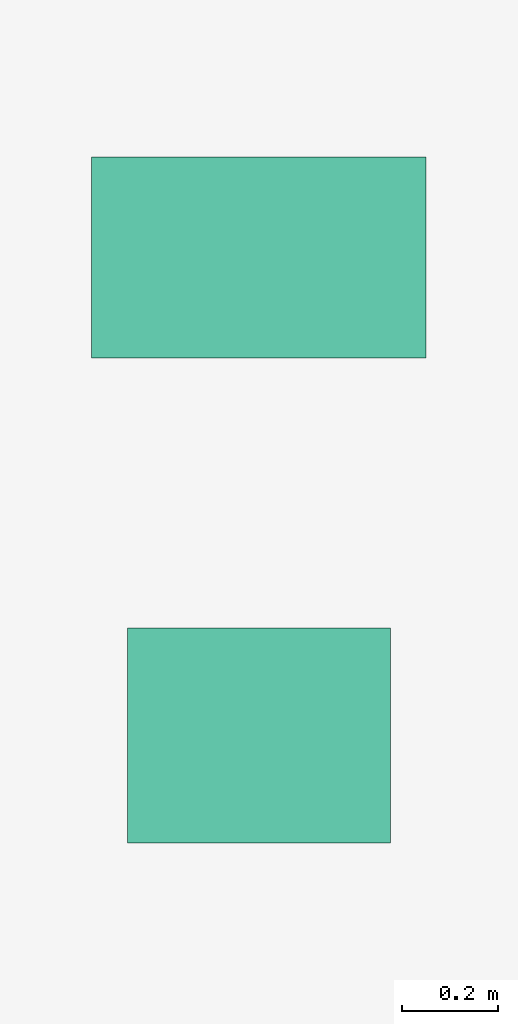
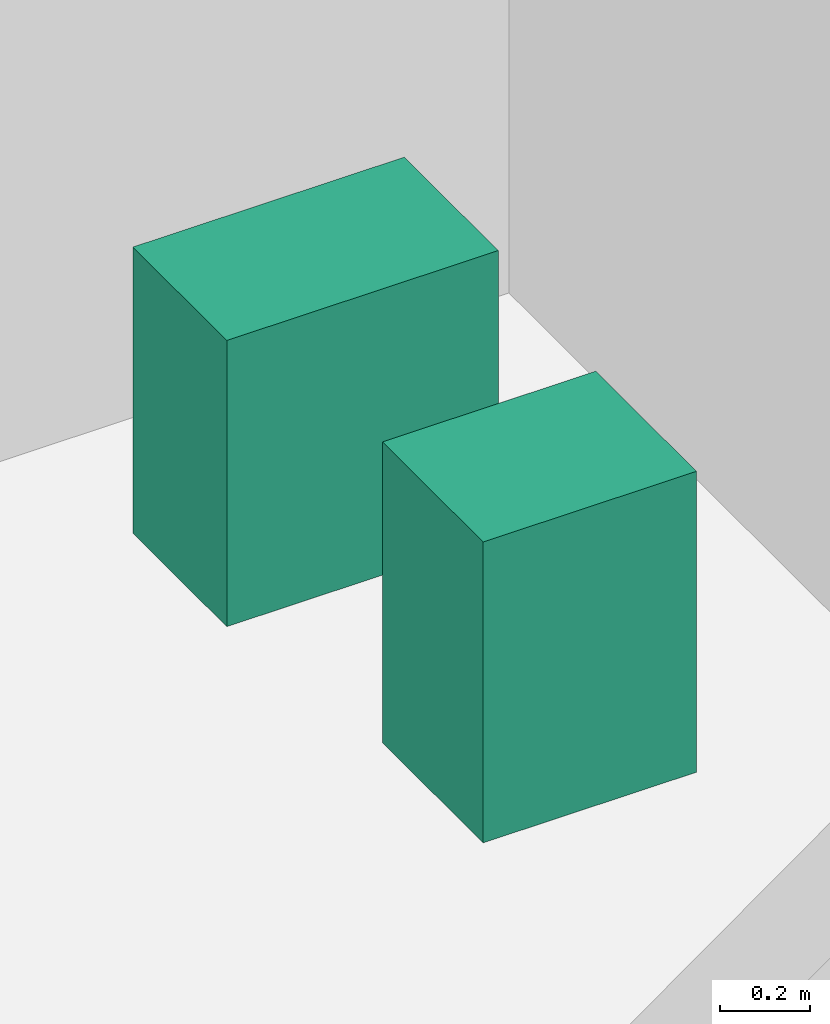
# One storey, part 21 of 21: 2 sanitary terminals.
"""IFC4 building model written with IfcOpenShell, lengths in metres."""

from ifc_helpers import new_model, si_unit, direction, frame, origin, origin_2d, place, context, subcontext, project, spatial, rectangle, extrude, source, transform, mapped, material, type_object, element, save


model = new_model("IFC4")

# Units and contexts
model_context = context("Model", 3, precision=1e-05, world=origin(), true_north=direction((0.0, 1.0)))
body_context = subcontext(model_context, "Body", "Model", "MODEL_VIEW")
ifc_project = project(units=[si_unit("LENGTHUNIT", "METRE"), si_unit("AREAUNIT", "SQUARE_METRE"), si_unit("VOLUMEUNIT", "CUBIC_METRE"), si_unit("PLANEANGLEUNIT", "RADIAN"), si_unit("MASSUNIT", "GRAM", prefix="KILO")], contexts=[model_context])

# Site, building, storey
site_placement = place(None, origin())
site = spatial("IfcSite", under=ifc_project, at=site_placement, CompositionType="ELEMENT")
building_placement = place(site_placement, origin())
building = spatial("IfcBuilding", under=site, at=building_placement, Name="Sumidabori Civic Tower", CompositionType="ELEMENT")
storey_placement = place(building_placement, frame((0.0, 0.0, 290.0)))
storey = spatial("IfcBuildingStorey", under=building, at=storey_placement, Name="L76", CompositionType="ELEMENT", Elevation=290.0)

# Sanitary terminals
ifc_material = material(Name="Vitreous Sanitary Porcelain")
sanitary_terminal_type_1 = type_object("IfcSanitaryTerminalType", Name="SN-WC-1", PredefinedType="TOILETPAN", material=ifc_material)
shared_shape_1 = source(origin(), body_context, "Body", "SweptSolid", [
    extrude(rectangle(XDim=0.699951171875, YDim=0.419921875, at=origin_2d()), origin(), (0.0, 0.0, 1.0), 0.780029296875),
])
sanitary_terminal_1_placement = place(storey_placement, frame((10.800048828125, 21.85009765625, 0.0), z_axis=(0.0, 0.0, 1.0), x_axis=(1.0, 0.0, 0.0)))
element("IfcSanitaryTerminal", 1, at=sanitary_terminal_1_placement, inside=storey, type_object=sanitary_terminal_type_1, Name="Accessible WC Pan L76", PredefinedType="TOILETPAN", context=body_context, shape_type="MappedRepresentation", body=[
    mapped(shared_shape_1, transform((0.0, 0.0, 0.0), x_axis=(1.0, 0.0, 0.0), y_axis=(0.0, 1.0, 0.0), z_axis=(0.0, 0.0, 1.0), scale=1.0)),
])
sanitary_terminal_type_2 = type_object("IfcSanitaryTerminalType", Name="SN-BAS-1", PredefinedType="WASHHANDBASIN", material=ifc_material)
shared_shape_2 = source(origin(), body_context, "Body", "SweptSolid", [
    extrude(rectangle(XDim=0.550048828125, YDim=0.449951171875, at=origin_2d()), origin(), (0.0, 0.0, 1.0), 0.820068359375),
])
sanitary_terminal_2_placement = place(storey_placement, frame((10.800048828125, 20.85009765625, 0.0), z_axis=(0.0, 0.0, 1.0), x_axis=(1.0, 0.0, 0.0)))
element("IfcSanitaryTerminal", 2, at=sanitary_terminal_2_placement, inside=storey, type_object=sanitary_terminal_type_2, Name="Accessible Basin L76", PredefinedType="WASHHANDBASIN", context=body_context, shape_type="MappedRepresentation", body=[
    mapped(shared_shape_2, transform((0.0, 0.0, 0.0), x_axis=(1.0, 0.0, 0.0), y_axis=(0.0, 1.0, 0.0), z_axis=(0.0, 0.0, 1.0), scale=1.0)),
])

save(model, "model.ifc")
